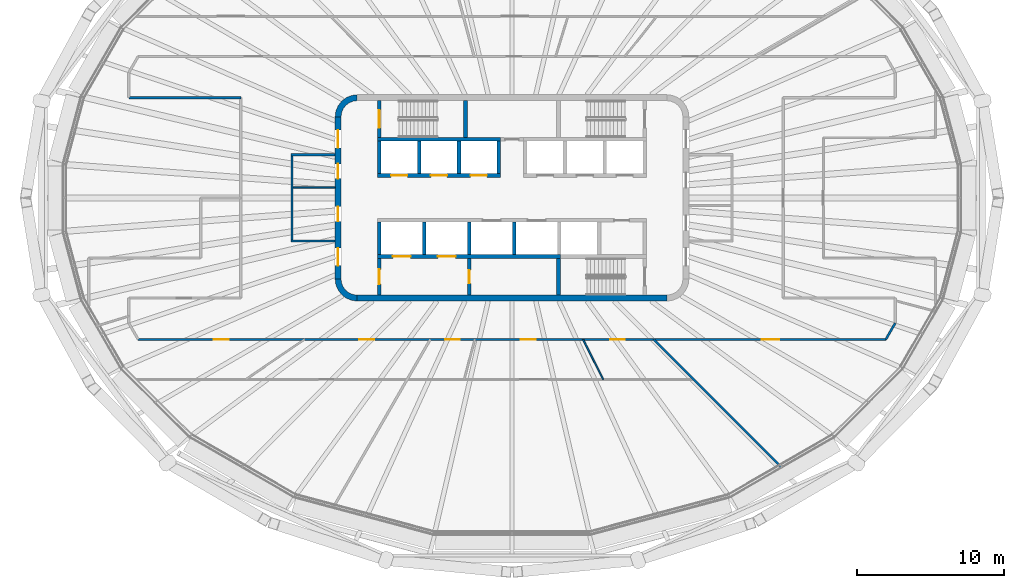
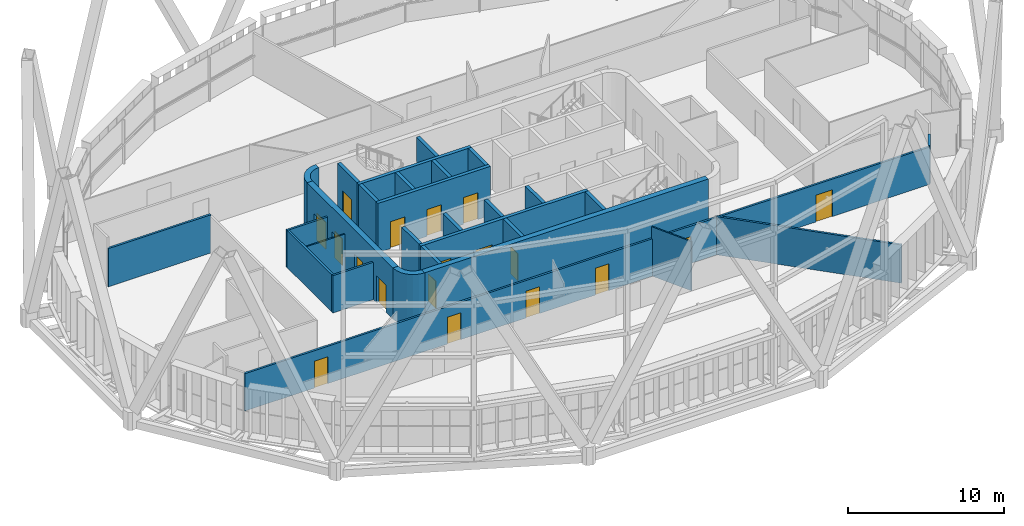
# One storey, part 13 of 22: 29 walls, 18 doors, 18 openings.
"""IFC4 building model written with IfcOpenShell, lengths in metres."""

from ifc_helpers import new_model, si_unit, direction, frame, frame_2d, origin, place, context, subcontext, project, spatial, polyline, rectangle, outline, extrude, material, layer, layer_set, type_object, element, fill, save


model = new_model("IFC4")

# Units and contexts
model_context = context("Model", 3, precision=1e-05, world=origin(), true_north=direction((0.0, 1.0)))
body_context = subcontext(model_context, "Body", "Model", "MODEL_VIEW")
ifc_project = project(units=[si_unit("LENGTHUNIT", "METRE"), si_unit("AREAUNIT", "SQUARE_METRE"), si_unit("VOLUMEUNIT", "CUBIC_METRE"), si_unit("PLANEANGLEUNIT", "RADIAN"), si_unit("MASSUNIT", "GRAM", prefix="KILO")], contexts=[model_context])

# Site, building, storey
site_placement = place(None, origin())
site = spatial("IfcSite", under=ifc_project, at=site_placement, CompositionType="ELEMENT")
building_placement = place(site_placement, origin())
building = spatial("IfcBuilding", under=site, at=building_placement, Name="Sahrelin Media Tower", CompositionType="ELEMENT")
storey_placement = place(building_placement, frame((0.0, 0.0, 233.60009765625)))
storey = spatial("IfcBuildingStorey", under=building, at=storey_placement, Name="L50", CompositionType="ELEMENT", Elevation=233.60009765625)

# Wall
ifc_material_1 = material(Name="Concrete C60/75", Category="concrete")
ifc_layer_1 = layer(ifc_material_1, 0.39990234375)
ifc_layer_set_1 = layer_set([ifc_layer_1], Name="Core wall 400")
wall_type_1 = type_object("IfcWallType", Name="Core wall 400", PredefinedType="SHEAR", material=ifc_layer_set_1)
wall_1_placement = place(storey_placement, frame((-10.5, -6.800048828125, 0.0), z_axis=(0.0, 0.0, 1.0), x_axis=(1.0, 0.0, 0.0)))
element("IfcWall", 1, at=wall_1_placement, inside=storey, type_object=wall_type_1, Name="Core wall S L50", PredefinedType="SHEAR", context=body_context, shape_type="SweptSolid", body=[
    extrude(rectangle(XDim=21.0, YDim=0.39990234375, at=frame_2d((10.5, 0.0))), origin(), (0.0, 0.0, 1.0), 4.0),
])

# Wall, openings, doors
wall_2_placement = place(storey_placement, frame((-11.800048828125, -5.5, 0.0), z_axis=(0.0, 0.0, 1.0), x_axis=(0.0, 1.0, 0.0)))
wall_2 = element("IfcWall", 2, at=wall_2_placement, inside=storey, type_object=wall_type_1, Name="Core wall W L50", PredefinedType="SHEAR", context=body_context, shape_type="SweptSolid", body=[
    extrude(rectangle(XDim=11.0, YDim=0.39990234375, at=frame_2d((5.5, 0.0))), origin(), (0.0, 0.0, 1.0), 4.0),
])
opening_1_placement = place(wall_2_placement, frame((3.89990234375, 0.0, 0.0)))
opening_1 = element("IfcOpeningElement", 3, at=opening_1_placement, cuts=wall_2, Name="Opening L50-D08", PredefinedType="OPENING", context=body_context, shape_type="SweptSolid", body=[
    extrude(rectangle(XDim=1.0, YDim=2.10009765625, at=frame_2d((0.5, 1.050048828125))), frame((0.0, 0.199951171875, 0.0), z_axis=(0.0, -1.0, 0.0), x_axis=(1.0, 0.0, 0.0)), (0.0, 0.0, 1.0), 0.39990234375),
])
opening_2_placement = place(wall_2_placement, frame((6.800048828125, 0.0, 0.0)))
opening_2 = element("IfcOpeningElement", 4, at=opening_2_placement, cuts=wall_2, Name="Opening L50-D09", PredefinedType="OPENING", context=body_context, shape_type="SweptSolid", body=[
    extrude(rectangle(XDim=1.0, YDim=2.10009765625, at=frame_2d((0.5, 1.050048828125))), frame((0.0, 0.199951171875, 0.0), z_axis=(0.0, -1.0, 0.0), x_axis=(1.0, 0.0, 0.0)), (0.0, 0.0, 1.0), 0.39990234375),
])
opening_3_placement = place(wall_2_placement, frame((0.89990234375, 0.0, 0.0)))
opening_3 = element("IfcOpeningElement", 5, at=opening_3_placement, cuts=wall_2, Name="Opening L50-D12", PredefinedType="OPENING", context=body_context, shape_type="SweptSolid", body=[
    extrude(rectangle(XDim=1.199951171875, YDim=2.10009765625, at=frame_2d((0.60009765625, 1.050048828125))), frame((0.0, 0.199951171875, 0.0), z_axis=(0.0, -1.0, 0.0), x_axis=(1.0, 0.0, 0.0)), (0.0, 0.0, 1.0), 0.39990234375),
])
opening_4_placement = place(wall_2_placement, frame((8.89990234375, 0.0, 0.0)))
opening_4 = element("IfcOpeningElement", 6, at=opening_4_placement, cuts=wall_2, Name="Opening L50-D13", PredefinedType="OPENING", context=body_context, shape_type="SweptSolid", body=[
    extrude(rectangle(XDim=1.199951171875, YDim=2.10009765625, at=frame_2d((0.60009765625, 1.050048828125))), frame((0.0, 0.199951171875, 0.0), z_axis=(0.0, -1.0, 0.0), x_axis=(1.0, 0.0, 0.0)), (0.0, 0.0, 1.0), 0.39990234375),
])
ifc_material_2 = material(Name="Steel fire door leaf", Category="steel")
door_type_1 = type_object("IfcDoorType", Name="Fire door 1000 x 2100 EI 60", OperationType="NOTDEFINED", PredefinedType="DOOR", material=ifc_material_2)
door_1_placement = place(opening_1_placement, origin())
door_1 = element("IfcDoor", 7, at=door_1_placement, inside=storey, type_object=door_type_1, Name="Core room door", OperationType="SINGLE_SWING_RIGHT", OverallHeight=2.10009765625, OverallWidth=1.0, PredefinedType="DOOR", context=body_context, shape_type="SweptSolid", body=[
    extrude(rectangle(XDim=1.0, YDim=2.10009765625, at=frame_2d((0.5, 1.050048828125))), frame((0.0, 0.02490234375, 0.0), z_axis=(0.0, -1.0, 0.0), x_axis=(1.0, 0.0, 0.0)), (0.0, 0.0, 1.0), 0.050048828125),
])
fill(opening_1, door_1)
door_2_placement = place(opening_2_placement, origin())
door_2 = element("IfcDoor", 8, at=door_2_placement, inside=storey, type_object=door_type_1, Name="Core room door", OperationType="SINGLE_SWING_RIGHT", OverallHeight=2.10009765625, OverallWidth=1.0, PredefinedType="DOOR", context=body_context, shape_type="SweptSolid", body=[
    extrude(rectangle(XDim=1.0, YDim=2.10009765625, at=frame_2d((0.5, 1.050048828125))), frame((0.0, 0.02490234375, 0.0), z_axis=(0.0, -1.0, 0.0), x_axis=(1.0, 0.0, 0.0)), (0.0, 0.0, 1.0), 0.050048828125),
])
fill(opening_2, door_2)
door_type_2 = type_object("IfcDoorType", Name="Lobby door 1200 x 2100 EI 60", OperationType="NOTDEFINED", PredefinedType="DOOR", material=ifc_material_2)
door_3_placement = place(opening_3_placement, origin())
door_3 = element("IfcDoor", 9, at=door_3_placement, inside=storey, type_object=door_type_2, Name="Lobby door", OperationType="SINGLE_SWING_LEFT", OverallHeight=2.10009765625, OverallWidth=1.199951171875, PredefinedType="DOOR", context=body_context, shape_type="SweptSolid", body=[
    extrude(rectangle(XDim=1.199951171875, YDim=2.10009765625, at=frame_2d((0.60009765625, 1.050048828125))), frame((0.0, 0.02490234375, 0.0), z_axis=(0.0, -1.0, 0.0), x_axis=(1.0, 0.0, 0.0)), (0.0, 0.0, 1.0), 0.050048828125),
])
fill(opening_3, door_3)
door_4_placement = place(opening_4_placement, origin())
door_4 = element("IfcDoor", 10, at=door_4_placement, inside=storey, type_object=door_type_2, Name="Lobby door", OperationType="SINGLE_SWING_LEFT", OverallHeight=2.10009765625, OverallWidth=1.199951171875, PredefinedType="DOOR", context=body_context, shape_type="SweptSolid", body=[
    extrude(rectangle(XDim=1.199951171875, YDim=2.10009765625, at=frame_2d((0.60009765625, 1.050048828125))), frame((0.0, 0.02490234375, 0.0), z_axis=(0.0, -1.0, 0.0), x_axis=(1.0, 0.0, 0.0)), (0.0, 0.0, 1.0), 0.050048828125),
])
fill(opening_4, door_4)

# Walls
placement = place(storey_placement, origin())
element("IfcWall", 11, at=placement, inside=storey, type_object=wall_type_1, Name="Core wall corner NW L50", PredefinedType="SHEAR", context=body_context, shape_type="SweptSolid", body=[
    extrude(outline(polyline([(-12.0, 5.5), (-11.596435546875, 5.5), (-11.55908203125, 5.78369140625), (-11.44970703125, 6.04833984375), (-11.275390625, 6.275390625), (-11.04833984375, 6.44970703125), (-10.78369140625, 6.55908203125), (-10.5, 6.596435546875), (-10.5, 7.0), (-10.88818359375, 6.948974609375), (-11.25, 6.799072265625), (-11.560791015625, 6.560791015625), (-11.799072265625, 6.25), (-11.948974609375, 5.88818359375), (-12.0, 5.5)])), origin(), (0.0, 0.0, 1.0), 4.0),
])
element("IfcWall", 12, at=placement, inside=storey, type_object=wall_type_1, Name="Core wall corner SW L50", PredefinedType="SHEAR", context=body_context, shape_type="SweptSolid", body=[
    extrude(outline(polyline([(-10.5, -7.0), (-10.5, -6.596435546875), (-10.78369140625, -6.55908203125), (-11.04833984375, -6.44970703125), (-11.275390625, -6.275390625), (-11.44970703125, -6.04833984375), (-11.55908203125, -5.78369140625), (-11.596435546875, -5.5), (-12.0, -5.5), (-11.948974609375, -5.88818359375), (-11.799072265625, -6.25), (-11.560791015625, -6.560791015625), (-11.25, -6.799072265625), (-10.88818359375, -6.948974609375), (-10.5, -7.0)])), origin(), (0.0, 0.0, 1.0), 4.0),
])
ifc_material_3 = material(Name="Fire-rated gypsum board partition")
ifc_layer_2 = layer(ifc_material_3, 0.10009765625)
ifc_layer_set_2 = layer_set([ifc_layer_2], Name="Fire-rated partition 100")
wall_type_2 = type_object("IfcWallType", Name="Fire-rated partition 100", PredefinedType="PARTITIONING", material=ifc_layer_set_2)
wall_5_placement = place(storey_placement, frame((-14.85009765625, 0.699951171875, 0.0), z_axis=(0.0, 0.0, 1.0), x_axis=(1.0, 0.0, 0.0)))
element("IfcWall", 13, at=wall_5_placement, inside=storey, type_object=wall_type_2, Name="Core room partition", PredefinedType="PARTITIONING", context=body_context, shape_type="SweptSolid", body=[
    extrude(rectangle(XDim=2.85009765625, YDim=0.10009765625, at=frame_2d((1.425048828125, 0.0))), origin(), (0.0, 0.0, 1.0), 2.918212890625),
])
ifc_layer_3 = layer(ifc_material_3, 0.14990234375)
ifc_layer_set_3 = layer_set([ifc_layer_3], Name="Fire-rated partition 150")
wall_type_3 = type_object("IfcWallType", Name="Fire-rated partition 150", PredefinedType="PARTITIONING", material=ifc_layer_set_3)
wall_6_placement = place(storey_placement, frame((-14.925048828125, -2.85009765625, 0.0), z_axis=(0.0, 0.0, 1.0), x_axis=(0.0, 1.0, 0.0)))
element("IfcWall", 14, at=wall_6_placement, inside=storey, type_object=wall_type_3, Name="Core room fire partition", PredefinedType="PARTITIONING", context=body_context, shape_type="SweptSolid", body=[
    extrude(rectangle(XDim=5.7001953125, YDim=0.14990234375, at=frame_2d((2.85009765625, 0.0))), origin(), (0.0, 0.0, 1.0), 2.918212890625),
])
for number, where, z_axis, x_axis, name in (
    (15, (-15.0, 2.925048828125, 0.0), (0.0, 0.0, 1.0), (1.0, 0.0, 0.0), "Core room fire partition"),
    (16, (-15.0, -2.925048828125, 0.0), (0.0, 0.0, 1.0), (1.0, 0.0, 0.0), "Core room fire partition"),
):
    element("IfcWall", number, at=place(storey_placement, frame(where, z_axis=z_axis, x_axis=x_axis)), inside=storey, type_object=wall_type_3, Name=name, PredefinedType="PARTITIONING", context=body_context, shape_type="SweptSolid", body=[
        extrude(rectangle(XDim=3.0, YDim=0.14990234375, at=frame_2d((1.5, 0.0))), origin(), (0.0, 0.0, 1.0), 2.918212890625),
    ])
wall_7_placement = place(storey_placement, frame((9.60009765625, -9.60009765625, 0.0), z_axis=(0.0, 0.0, 1.0), x_axis=(0.707106781187, -0.707106781187, 0.0)))
element("IfcWall", 17, at=wall_7_placement, inside=storey, type_object=wall_type_3, Name="Wall", PredefinedType="PARTITIONING", context=body_context, shape_type="SweptSolid", body=[
    extrude(rectangle(XDim=12.29345703125, YDim=0.14990234375, at=frame_2d((6.146728515625, 0.0))), origin(), (0.0, 0.0, 1.0), 2.994873046875),
])

# Wall, openings, doors
wall_8_placement = place(storey_placement, frame((-25.360107421875, -9.60009765625, 0.0), z_axis=(0.0, 0.0, 1.0), x_axis=(1.0, 0.0, 0.0)))
wall_8 = element("IfcWall", 18, at=wall_8_placement, inside=storey, type_object=wall_type_3, Name="Wall", PredefinedType="PARTITIONING", context=body_context, shape_type="SweptSolid", body=[
    extrude(rectangle(XDim=50.72119140625, YDim=0.14990234375, at=frame_2d((25.360595703125, 0.0))), origin(), (0.0, 0.0, 1.0), 2.927001953125),
])
opening_5_placement = place(wall_8_placement, frame((20.825927734375, 0.0, 0.0)))
opening_5 = element("IfcOpeningElement", 19, at=opening_5_placement, cuts=wall_8, Name="Opening L50-D16", PredefinedType="OPENING", context=body_context, shape_type="SweptSolid", body=[
    extrude(rectangle(XDim=1.0, YDim=2.10009765625, at=frame_2d((0.5, 1.050048828125))), frame((0.0, 0.074951171875, 0.0), z_axis=(0.0, -1.0, 0.0), x_axis=(1.0, 0.0, 0.0)), (0.0, 0.0, 1.0), 0.14990234375),
])
opening_6_placement = place(wall_8_placement, frame((25.958984375, 0.0, 0.0)))
opening_6 = element("IfcOpeningElement", 20, at=opening_6_placement, cuts=wall_8, Name="Opening L50-D17", PredefinedType="OPENING", context=body_context, shape_type="SweptSolid", body=[
    extrude(rectangle(XDim=1.0, YDim=2.10009765625, at=frame_2d((0.5, 1.050048828125))), frame((0.0, 0.074951171875, 0.0), z_axis=(0.0, -1.0, 0.0), x_axis=(1.0, 0.0, 0.0)), (0.0, 0.0, 1.0), 0.14990234375),
])
opening_7_placement = place(wall_8_placement, frame((32.0205078125, 0.0, 0.0)))
opening_7 = element("IfcOpeningElement", 21, at=opening_7_placement, cuts=wall_8, Name="Opening L50-D18", PredefinedType="OPENING", context=body_context, shape_type="SweptSolid", body=[
    extrude(rectangle(XDim=1.0, YDim=2.10009765625, at=frame_2d((0.5, 1.050048828125))), frame((0.0, 0.074951171875, 0.0), z_axis=(0.0, -1.0, 0.0), x_axis=(1.0, 0.0, 0.0)), (0.0, 0.0, 1.0), 0.14990234375),
])
opening_8_placement = place(wall_8_placement, frame((42.290771484375, 0.0, 0.0)))
opening_8 = element("IfcOpeningElement", 22, at=opening_8_placement, cuts=wall_8, Name="Opening L50-D20", PredefinedType="OPENING", context=body_context, shape_type="SweptSolid", body=[
    extrude(rectangle(XDim=1.199951171875, YDim=2.10009765625, at=frame_2d((0.60009765625, 1.050048828125))), frame((0.0, 0.074951171875, 0.0), z_axis=(0.0, -1.0, 0.0), x_axis=(1.0, 0.0, 0.0)), (0.0, 0.0, 1.0), 0.14990234375),
])
opening_9_placement = place(wall_8_placement, frame((5.139404296875, 0.0, 0.0)))
opening_9 = element("IfcOpeningElement", 23, at=opening_9_placement, cuts=wall_8, Name="Opening L50-D31", PredefinedType="OPENING", context=body_context, shape_type="SweptSolid", body=[
    extrude(rectangle(XDim=1.0, YDim=2.10009765625, at=frame_2d((0.5, 1.050048828125))), frame((0.0, 0.074951171875, 0.0), z_axis=(0.0, -1.0, 0.0), x_axis=(1.0, 0.0, 0.0)), (0.0, 0.0, 1.0), 0.14990234375),
])
opening_10_placement = place(wall_8_placement, frame((14.997802734375, 0.0, 0.0)))
opening_10 = element("IfcOpeningElement", 24, at=opening_10_placement, cuts=wall_8, Name="Opening L50-D32", PredefinedType="OPENING", context=body_context, shape_type="SweptSolid", body=[
    extrude(rectangle(XDim=1.0, YDim=2.10009765625, at=frame_2d((0.5, 1.050048828125))), frame((0.0, 0.074951171875, 0.0), z_axis=(0.0, -1.0, 0.0), x_axis=(1.0, 0.0, 0.0)), (0.0, 0.0, 1.0), 0.14990234375),
])
door_5_placement = place(opening_5_placement, origin())
door_5 = element("IfcDoor", 25, at=door_5_placement, inside=storey, type_object=door_type_1, Name="Fire door", OperationType="SINGLE_SWING_LEFT", OverallHeight=2.10009765625, OverallWidth=1.0, PredefinedType="DOOR", context=body_context, shape_type="SweptSolid", body=[
    extrude(rectangle(XDim=1.0, YDim=2.10009765625, at=frame_2d((0.5, 1.050048828125))), frame((0.0, 0.02490234375, 0.0), z_axis=(0.0, -1.0, 0.0), x_axis=(1.0, 0.0, 0.0)), (0.0, 0.0, 1.0), 0.050048828125),
])
fill(opening_5, door_5)
door_6_placement = place(opening_6_placement, origin())
door_6 = element("IfcDoor", 26, at=door_6_placement, inside=storey, type_object=door_type_1, Name="Fire door", OperationType="SINGLE_SWING_RIGHT", OverallHeight=2.10009765625, OverallWidth=1.0, PredefinedType="DOOR", context=body_context, shape_type="SweptSolid", body=[
    extrude(rectangle(XDim=1.0, YDim=2.10009765625, at=frame_2d((0.5, 1.050048828125))), frame((0.0, 0.02490234375, 0.0), z_axis=(0.0, -1.0, 0.0), x_axis=(1.0, 0.0, 0.0)), (0.0, 0.0, 1.0), 0.050048828125),
])
fill(opening_6, door_6)
door_7_placement = place(opening_7_placement, origin())
door_7 = element("IfcDoor", 27, at=door_7_placement, inside=storey, type_object=door_type_1, Name="Fire door", OperationType="SINGLE_SWING_RIGHT", OverallHeight=2.10009765625, OverallWidth=1.0, PredefinedType="DOOR", context=body_context, shape_type="SweptSolid", body=[
    extrude(rectangle(XDim=1.0, YDim=2.10009765625, at=frame_2d((0.5, 1.050048828125))), frame((0.0, 0.02490234375, 0.0), z_axis=(0.0, -1.0, 0.0), x_axis=(1.0, 0.0, 0.0)), (0.0, 0.0, 1.0), 0.050048828125),
])
fill(opening_7, door_7)
door_8_placement = place(opening_9_placement, origin())
door_8 = element("IfcDoor", 28, at=door_8_placement, inside=storey, type_object=door_type_1, Name="Fire door", OperationType="SINGLE_SWING_RIGHT", OverallHeight=2.10009765625, OverallWidth=1.0, PredefinedType="DOOR", context=body_context, shape_type="SweptSolid", body=[
    extrude(rectangle(XDim=1.0, YDim=2.10009765625, at=frame_2d((0.5, 1.050048828125))), frame((0.0, 0.02490234375, 0.0), z_axis=(0.0, -1.0, 0.0), x_axis=(1.0, 0.0, 0.0)), (0.0, 0.0, 1.0), 0.050048828125),
])
fill(opening_9, door_8)
door_9_placement = place(opening_10_placement, origin())
door_9 = element("IfcDoor", 29, at=door_9_placement, inside=storey, type_object=door_type_1, Name="Fire door", OperationType="SINGLE_SWING_RIGHT", OverallHeight=2.10009765625, OverallWidth=1.0, PredefinedType="DOOR", context=body_context, shape_type="SweptSolid", body=[
    extrude(rectangle(XDim=1.0, YDim=2.10009765625, at=frame_2d((0.5, 1.050048828125))), frame((0.0, 0.02490234375, 0.0), z_axis=(0.0, -1.0, 0.0), x_axis=(1.0, 0.0, 0.0)), (0.0, 0.0, 1.0), 0.050048828125),
])
fill(opening_10, door_9)
door_type_3 = type_object("IfcDoorType", Name="Service double door 1200 x 2100 EI 60", OperationType="DOUBLE_DOOR_SINGLE_SWING", PredefinedType="DOOR", material=ifc_material_2)
door_10_placement = place(opening_8_placement, origin())
door_10 = element("IfcDoor", 30, at=door_10_placement, inside=storey, type_object=door_type_3, Name="Service double door", OperationType="DOUBLE_DOOR_SINGLE_SWING", OverallHeight=2.10009765625, OverallWidth=1.199951171875, PredefinedType="DOOR", context=body_context, shape_type="SweptSolid", body=[
    extrude(rectangle(XDim=1.199951171875, YDim=2.10009765625, at=frame_2d((0.60009765625, 1.050048828125))), frame((0.0, 0.02490234375, 0.0), z_axis=(0.0, -1.0, 0.0), x_axis=(1.0, 0.0, 0.0)), (0.0, 0.0, 1.0), 0.050048828125),
])
fill(opening_8, door_10)

# Walls
wall_9_placement = place(storey_placement, frame((-26.0, 6.800048828125, 0.0), z_axis=(0.0, 0.0, 1.0), x_axis=(1.0, 0.0, 0.0)))
element("IfcWall", 31, at=wall_9_placement, inside=storey, type_object=wall_type_3, Name="Wall", PredefinedType="PARTITIONING", context=body_context, shape_type="SweptSolid", body=[
    extrude(rectangle(XDim=7.60009765625, YDim=0.14990234375, at=frame_2d((3.800048828125, 0.0))), origin(), (0.0, 0.0, 1.0), 2.994873046875),
])
wall_10_placement = place(storey_placement, frame((25.361083984375, -9.60009765625, 0.0), z_axis=(0.0, 0.0, 1.0), x_axis=(0.499816142895, 0.866131527715, 0.0)))
element("IfcWall", 32, at=wall_10_placement, inside=storey, type_object=wall_type_3, Name="Wall", PredefinedType="PARTITIONING", context=body_context, shape_type="SweptSolid", body=[
    extrude(rectangle(XDim=1.2783203125, YDim=0.14990234375, at=frame_2d((0.63916015625, 0.0))), origin(), (0.0, 0.0, 1.0), 2.994873046875),
])

# Wall, opening, door
ifc_layer_4 = layer(ifc_material_3, 0.25)
ifc_layer_set_4 = layer_set([ifc_layer_4], Name="Firefighting lobby wall 250")
wall_type_4 = type_object("IfcWallType", Name="Firefighting lobby wall 250", PredefinedType="PARTITIONING", material=ifc_layer_set_4)
wall_11_placement = place(storey_placement, frame((-9.0, -6.60009765625, 0.0), z_axis=(0.0, 0.0, 1.0), x_axis=(0.0, 1.0, 0.0)))
wall_11 = element("IfcWall", 33, at=wall_11_placement, inside=storey, type_object=wall_type_4, Name="Core wall", PredefinedType="PARTITIONING", context=body_context, shape_type="SweptSolid", body=[
    extrude(rectangle(XDim=2.5, YDim=0.25, at=frame_2d((1.25, 0.0))), origin(), (0.0, 0.0, 1.0), 3.849853515625),
])
opening_11_placement = place(wall_11_placement, frame((0.75, 0.0, 0.0)))
opening_11 = element("IfcOpeningElement", 34, at=opening_11_placement, cuts=wall_11, Name="Opening L50-D04", PredefinedType="OPENING", context=body_context, shape_type="SweptSolid", body=[
    extrude(rectangle(XDim=1.0, YDim=2.10009765625, at=frame_2d((0.5, 1.050048828125))), frame((0.0, 0.125, 0.0), z_axis=(0.0, -1.0, 0.0), x_axis=(1.0, 0.0, 0.0)), (0.0, 0.0, 1.0), 0.25),
])
door_type_4 = type_object("IfcDoorType", Name="Firefighting lobby door 1000 x 2100 EI 120", OperationType="NOTDEFINED", PredefinedType="DOOR", material=ifc_material_2)
door_11_placement = place(opening_11_placement, origin())
door_11 = element("IfcDoor", 35, at=door_11_placement, inside=storey, type_object=door_type_4, Name="Firefighting lobby door", OperationType="SINGLE_SWING_LEFT", OverallHeight=2.10009765625, OverallWidth=1.0, PredefinedType="DOOR", context=body_context, shape_type="SweptSolid", body=[
    extrude(rectangle(XDim=1.0, YDim=2.10009765625, at=frame_2d((0.5, 1.050048828125))), frame((0.0, 0.02490234375, 0.0), z_axis=(0.0, -1.0, 0.0), x_axis=(1.0, 0.0, 0.0)), (0.0, 0.0, 1.0), 0.050048828125),
])
fill(opening_11, door_11)

wall_12_placement = place(storey_placement, frame((-2.89990234375, -6.60009765625, 0.0), z_axis=(0.0, 0.0, 1.0), x_axis=(0.0, 1.0, 0.0)))
wall_12 = element("IfcWall", 36, at=wall_12_placement, inside=storey, type_object=wall_type_4, Name="Core wall", PredefinedType="PARTITIONING", context=body_context, shape_type="SweptSolid", body=[
    extrude(rectangle(XDim=2.5, YDim=0.25, at=frame_2d((1.25, 0.0))), origin(), (0.0, 0.0, 1.0), 3.849853515625),
])
opening_12_placement = place(wall_12_placement, frame((0.800048828125, 0.0, 0.0)))
opening_12 = element("IfcOpeningElement", 37, at=opening_12_placement, cuts=wall_12, Name="Opening L50-D05", PredefinedType="OPENING", context=body_context, shape_type="SweptSolid", body=[
    extrude(rectangle(XDim=0.89990234375, YDim=2.10009765625, at=frame_2d((0.449951171875, 1.050048828125))), frame((0.0, 0.125, 0.0), z_axis=(0.0, -1.0, 0.0), x_axis=(1.0, 0.0, 0.0)), (0.0, 0.0, 1.0), 0.25),
])
door_type_5 = type_object("IfcDoorType", Name="Firefighting lobby door 900 x 2100 EI 120", OperationType="NOTDEFINED", PredefinedType="DOOR", material=ifc_material_2)
door_12_placement = place(opening_12_placement, origin())
door_12 = element("IfcDoor", 38, at=door_12_placement, inside=storey, type_object=door_type_5, Name="Riser door", OperationType="SINGLE_SWING_RIGHT", OverallHeight=2.10009765625, OverallWidth=0.89990234375, PredefinedType="DOOR", context=body_context, shape_type="SweptSolid", body=[
    extrude(rectangle(XDim=0.89990234375, YDim=2.10009765625, at=frame_2d((0.449951171875, 1.050048828125))), frame((0.0, 0.02490234375, 0.0), z_axis=(0.0, -1.0, 0.0), x_axis=(1.0, 0.0, 0.0)), (0.0, 0.0, 1.0), 0.050048828125),
])
fill(opening_12, door_12)

# Wall, openings, doors
ifc_layer_5 = layer(ifc_material_1, 0.25)
ifc_layer_set_5 = layer_set([ifc_layer_5], Name="Lift shaft wall 250")
wall_type_5 = type_object("IfcWallType", Name="Lift shaft wall 250", PredefinedType="SOLIDWALL", material=ifc_layer_set_5)
wall_13_placement = place(storey_placement, frame((-9.125, 1.52490234375, 0.0), z_axis=(0.0, 0.0, 1.0), x_axis=(1.0, 0.0, 0.0)))
wall_13 = element("IfcWall", 39, at=wall_13_placement, inside=storey, type_object=wall_type_5, Name="Lift shaft wall", PredefinedType="SOLIDWALL", context=body_context, shape_type="SweptSolid", body=[
    extrude(rectangle(XDim=8.35009765625, YDim=0.25, at=frame_2d((4.175048828125, 0.0))), origin(), (0.0, 0.0, 1.0), 3.849853515625),
])
opening_13_placement = place(wall_13_placement, frame((0.925048828125, 0.0, 0.0)))
opening_13 = element("IfcOpeningElement", 40, at=opening_13_placement, cuts=wall_13, Name="Opening L50-LD-HR1", PredefinedType="OPENING", context=body_context, shape_type="SweptSolid", body=[
    extrude(rectangle(XDim=1.10009765625, YDim=2.10009765625, at=frame_2d((0.550048828125, 1.050048828125))), frame((0.0, 0.125, 0.0), z_axis=(0.0, -1.0, 0.0), x_axis=(1.0, 0.0, 0.0)), (0.0, 0.0, 1.0), 0.25),
])
opening_14_placement = place(wall_13_placement, frame((3.625, 0.0, 0.0)))
opening_14 = element("IfcOpeningElement", 41, at=opening_14_placement, cuts=wall_13, Name="Opening L50-LD-HR2", PredefinedType="OPENING", context=body_context, shape_type="SweptSolid", body=[
    extrude(rectangle(XDim=1.10009765625, YDim=2.10009765625, at=frame_2d((0.550048828125, 1.050048828125))), frame((0.0, 0.125, 0.0), z_axis=(0.0, -1.0, 0.0), x_axis=(1.0, 0.0, 0.0)), (0.0, 0.0, 1.0), 0.25),
])
opening_15_placement = place(wall_13_placement, frame((6.324951171875, 0.0, 0.0)))
opening_15 = element("IfcOpeningElement", 42, at=opening_15_placement, cuts=wall_13, Name="Opening L50-LD-HR3", PredefinedType="OPENING", context=body_context, shape_type="SweptSolid", body=[
    extrude(rectangle(XDim=1.10009765625, YDim=2.10009765625, at=frame_2d((0.550048828125, 1.050048828125))), frame((0.0, 0.125, 0.0), z_axis=(0.0, -1.0, 0.0), x_axis=(1.0, 0.0, 0.0)), (0.0, 0.0, 1.0), 0.25),
])
ifc_material_4 = material(Name="Stainless steel", Category="steel")
door_type_6 = type_object("IfcDoorType", Name="Lift landing door 1100 x 2100 EI 120", OperationType="DOUBLE_DOOR_SLIDING", PredefinedType="DOOR", material=ifc_material_4)
door_13_placement = place(opening_13_placement, origin())
door_13 = element("IfcDoor", 43, at=door_13_placement, inside=storey, type_object=door_type_6, Name="Lift landing door HR1", OperationType="DOUBLE_DOOR_SLIDING", OverallHeight=2.10009765625, OverallWidth=1.10009765625, PredefinedType="DOOR", context=body_context, shape_type="SweptSolid", body=[
    extrude(rectangle(XDim=1.10009765625, YDim=2.10009765625, at=frame_2d((0.550048828125, 1.050048828125))), frame((0.0, 0.02490234375, 0.0), z_axis=(0.0, -1.0, 0.0), x_axis=(1.0, 0.0, 0.0)), (0.0, 0.0, 1.0), 0.050048828125),
])
fill(opening_13, door_13)
door_14_placement = place(opening_14_placement, origin())
door_14 = element("IfcDoor", 44, at=door_14_placement, inside=storey, type_object=door_type_6, Name="Lift landing door HR2", OperationType="DOUBLE_DOOR_SLIDING", OverallHeight=2.10009765625, OverallWidth=1.10009765625, PredefinedType="DOOR", context=body_context, shape_type="SweptSolid", body=[
    extrude(rectangle(XDim=1.10009765625, YDim=2.10009765625, at=frame_2d((0.550048828125, 1.050048828125))), frame((0.0, 0.02490234375, 0.0), z_axis=(0.0, -1.0, 0.0), x_axis=(1.0, 0.0, 0.0)), (0.0, 0.0, 1.0), 0.050048828125),
])
fill(opening_14, door_14)
door_15_placement = place(opening_15_placement, origin())
door_15 = element("IfcDoor", 45, at=door_15_placement, inside=storey, type_object=door_type_6, Name="Lift landing door HR3", OperationType="DOUBLE_DOOR_SLIDING", OverallHeight=2.10009765625, OverallWidth=1.10009765625, PredefinedType="DOOR", context=body_context, shape_type="SweptSolid", body=[
    extrude(rectangle(XDim=1.10009765625, YDim=2.10009765625, at=frame_2d((0.550048828125, 1.050048828125))), frame((0.0, 0.02490234375, 0.0), z_axis=(0.0, -1.0, 0.0), x_axis=(1.0, 0.0, 0.0)), (0.0, 0.0, 1.0), 0.050048828125),
])
fill(opening_15, door_15)

# Walls
wall_14_placement = place(storey_placement, frame((-9.125, 3.97509765625, 0.0), z_axis=(0.0, 0.0, 1.0), x_axis=(1.0, 0.0, 0.0)))
element("IfcWall", 46, at=wall_14_placement, inside=storey, type_object=wall_type_5, Name="Lift shaft wall", PredefinedType="SOLIDWALL", context=body_context, shape_type="SweptSolid", body=[
    extrude(rectangle(XDim=8.35009765625, YDim=0.25, at=frame_2d((4.175048828125, 0.0))), origin(), (0.0, 0.0, 1.0), 3.849853515625),
])
for number, where, z_axis, x_axis, name in (
    (47, (-9.0, 1.64990234375, 0.0), (0.0, 0.0, 1.0), (0.0, 1.0, 0.0), "Lift shaft wall"),
    (48, (-6.300048828125, 1.64990234375, 0.0), (0.0, 0.0, 1.0), (0.0, 1.0, 0.0), "Lift shaft wall"),
    (49, (-3.60009765625, 1.64990234375, 0.0), (0.0, 0.0, 1.0), (0.0, 1.0, 0.0), "Lift shaft wall"),
    (50, (-0.89990234375, 1.64990234375, 0.0), (0.0, 0.0, 1.0), (0.0, 1.0, 0.0), "Lift shaft wall"),
):
    element("IfcWall", number, at=place(storey_placement, frame(where, z_axis=z_axis, x_axis=x_axis)), inside=storey, type_object=wall_type_5, Name=name, PredefinedType="SOLIDWALL", context=body_context, shape_type="SweptSolid", body=[
        extrude(rectangle(XDim=2.2001953125, YDim=0.25, at=frame_2d((1.10009765625, 0.0))), origin(), (0.0, 0.0, 1.0), 3.849853515625),
    ])

# Wall, openings, doors
wall_15_placement = place(storey_placement, frame((-9.125, -3.97509765625, 0.0), z_axis=(0.0, 0.0, 1.0), x_axis=(1.0, 0.0, 0.0)))
wall_15 = element("IfcWall", 51, at=wall_15_placement, inside=storey, type_object=wall_type_5, Name="Lift shaft wall", PredefinedType="SOLIDWALL", context=body_context, shape_type="SweptSolid", body=[
    extrude(rectangle(XDim=12.39990234375, YDim=0.25, at=frame_2d((6.199951171875, 0.0))), origin(), (0.0, 0.0, 1.0), 3.849853515625),
])
opening_16_placement = place(wall_15_placement, frame((1.050048828125, 0.0, 0.0)))
opening_16 = element("IfcOpeningElement", 52, at=opening_16_placement, cuts=wall_15, Name="Opening L50-LD-FF1", PredefinedType="OPENING", context=body_context, shape_type="SweptSolid", body=[
    extrude(rectangle(XDim=1.199951171875, YDim=2.10009765625, at=frame_2d((0.60009765625, 1.050048828125))), frame((0.0, 0.125, 0.0), z_axis=(0.0, -1.0, 0.0), x_axis=(1.0, 0.0, 0.0)), (0.0, 0.0, 1.0), 0.25),
])
opening_17_placement = place(wall_15_placement, frame((4.10009765625, 0.0, 0.0)))
opening_17 = element("IfcOpeningElement", 53, at=opening_17_placement, cuts=wall_15, Name="Opening L50-LD-FF2", PredefinedType="OPENING", context=body_context, shape_type="SweptSolid", body=[
    extrude(rectangle(XDim=1.199951171875, YDim=2.10009765625, at=frame_2d((0.60009765625, 1.050048828125))), frame((0.0, 0.125, 0.0), z_axis=(0.0, -1.0, 0.0), x_axis=(1.0, 0.0, 0.0)), (0.0, 0.0, 1.0), 0.25),
])
door_type_7 = type_object("IfcDoorType", Name="Lift landing door 1200 x 2100 EI 120", OperationType="DOUBLE_DOOR_SLIDING", PredefinedType="DOOR", material=ifc_material_4)
door_16_placement = place(opening_16_placement, origin())
door_16 = element("IfcDoor", 54, at=door_16_placement, inside=storey, type_object=door_type_7, Name="Lift landing door FF1", OperationType="DOUBLE_DOOR_SLIDING", OverallHeight=2.10009765625, OverallWidth=1.199951171875, PredefinedType="DOOR", context=body_context, shape_type="SweptSolid", body=[
    extrude(rectangle(XDim=1.199951171875, YDim=2.10009765625, at=frame_2d((0.60009765625, 1.050048828125))), frame((0.0, 0.02490234375, 0.0), z_axis=(0.0, -1.0, 0.0), x_axis=(1.0, 0.0, 0.0)), (0.0, 0.0, 1.0), 0.050048828125),
])
fill(opening_16, door_16)
door_17_placement = place(opening_17_placement, origin())
door_17 = element("IfcDoor", 55, at=door_17_placement, inside=storey, type_object=door_type_7, Name="Lift landing door FF2", OperationType="DOUBLE_DOOR_SLIDING", OverallHeight=2.10009765625, OverallWidth=1.199951171875, PredefinedType="DOOR", context=body_context, shape_type="SweptSolid", body=[
    extrude(rectangle(XDim=1.199951171875, YDim=2.10009765625, at=frame_2d((0.60009765625, 1.050048828125))), frame((0.0, 0.02490234375, 0.0), z_axis=(0.0, -1.0, 0.0), x_axis=(1.0, 0.0, 0.0)), (0.0, 0.0, 1.0), 0.050048828125),
])
fill(opening_17, door_17)

# Walls
for number, where, z_axis, x_axis, name in (
    (56, (-9.0, -3.85009765625, 0.0), (0.0, 0.0, 1.0), (0.0, 1.0, 0.0), "Lift shaft wall"),
    (57, (-5.949951171875, -3.85009765625, 0.0), (0.0, 0.0, 1.0), (0.0, 1.0, 0.0), "Lift shaft wall"),
    (58, (-2.89990234375, -3.85009765625, 0.0), (0.0, 0.0, 1.0), (0.0, 1.0, 0.0), "Lift shaft wall"),
    (59, (0.14990234375, -3.85009765625, 0.0), (0.0, 0.0, 1.0), (0.0, 1.0, 0.0), "Lift shaft wall"),
):
    element("IfcWall", number, at=place(storey_placement, frame(where, z_axis=z_axis, x_axis=x_axis)), inside=storey, type_object=wall_type_5, Name=name, PredefinedType="SOLIDWALL", context=body_context, shape_type="SweptSolid", body=[
        extrude(rectangle(XDim=2.2001953125, YDim=0.25, at=frame_2d((1.10009765625, 0.0))), origin(), (0.0, 0.0, 1.0), 3.849853515625),
    ])
ifc_material_5 = material(Name="Gypsum board partition")
ifc_layer_6 = layer(ifc_material_5, 0.10009765625)
ifc_layer_set_6 = layer_set([ifc_layer_6], Name="Partition 100")
wall_type_6 = type_object("IfcWallType", Name="Partition 100", PredefinedType="PARTITIONING", material=ifc_layer_set_6)
wall_16_placement = place(storey_placement, frame((4.823974609375, -9.60009765625, 0.0), z_axis=(0.0, 0.0, 1.0), x_axis=(0.449041226729, -0.893511038934, 0.0)))
element("IfcWall", 60, at=wall_16_placement, inside=storey, type_object=wall_type_6, Name="Wall", PredefinedType="PARTITIONING", context=body_context, shape_type="SweptSolid", body=[
    extrude(rectangle(XDim=3.044189453125, YDim=0.10009765625, at=frame_2d((1.52197265625, 0.0))), origin(), (0.0, 0.0, 1.0), 3.849853515625),
])

# Wall, opening, door
ifc_layer_7 = layer(ifc_material_1, 0.25)
ifc_layer_set_7 = layer_set([ifc_layer_7], Name="Stair enclosure wall 250")
wall_type_7 = type_object("IfcWallType", Name="Stair enclosure wall 250", PredefinedType="SOLIDWALL", material=ifc_layer_set_7)
wall_17_placement = place(storey_placement, frame((-9.0, 4.10009765625, 0.0), z_axis=(0.0, 0.0, 1.0), x_axis=(0.0, 1.0, 0.0)))
wall_17 = element("IfcWall", 61, at=wall_17_placement, inside=storey, type_object=wall_type_7, Name="Stair enclosure wall", PredefinedType="SOLIDWALL", context=body_context, shape_type="SweptSolid", body=[
    extrude(rectangle(XDim=2.5, YDim=0.25, at=frame_2d((1.25, 0.0))), origin(), (0.0, 0.0, 1.0), 3.849853515625),
])
opening_18_placement = place(wall_17_placement, frame((0.64990234375, 0.0, 0.0)))
opening_18 = element("IfcOpeningElement", 62, at=opening_18_placement, cuts=wall_17, Name="Opening L50-D01", PredefinedType="OPENING", context=body_context, shape_type="SweptSolid", body=[
    extrude(rectangle(XDim=1.199951171875, YDim=2.10009765625, at=frame_2d((0.60009765625, 1.050048828125))), frame((0.0, 0.125, 0.0), z_axis=(0.0, -1.0, 0.0), x_axis=(1.0, 0.0, 0.0)), (0.0, 0.0, 1.0), 0.25),
])
door_type_8 = type_object("IfcDoorType", Name="Stair door 1200 x 2100 EI 120", OperationType="NOTDEFINED", PredefinedType="DOOR", material=ifc_material_2)
door_18_placement = place(opening_18_placement, origin())
door_18 = element("IfcDoor", 63, at=door_18_placement, inside=storey, type_object=door_type_8, Name="Stair door ST1", OperationType="SINGLE_SWING_RIGHT", OverallHeight=2.10009765625, OverallWidth=1.199951171875, PredefinedType="DOOR", context=body_context, shape_type="SweptSolid", body=[
    extrude(rectangle(XDim=1.199951171875, YDim=2.10009765625, at=frame_2d((0.60009765625, 1.050048828125))), frame((0.0, 0.02490234375, 0.0), z_axis=(0.0, -1.0, 0.0), x_axis=(1.0, 0.0, 0.0)), (0.0, 0.0, 1.0), 0.050048828125),
])
fill(opening_18, door_18)

# Walls
for number, where, z_axis, x_axis, name in (
    (64, (-3.14990234375, 4.10009765625, 0.0), (0.0, 0.0, 1.0), (0.0, 1.0, 0.0), "Stair enclosure wall"),
    (65, (3.14990234375, -6.60009765625, 0.0), (0.0, 0.0, 1.0), (0.0, 1.0, 0.0), "Stair enclosure wall"),
):
    element("IfcWall", number, at=place(storey_placement, frame(where, z_axis=z_axis, x_axis=x_axis)), inside=storey, type_object=wall_type_7, Name=name, PredefinedType="SOLIDWALL", context=body_context, shape_type="SweptSolid", body=[
        extrude(rectangle(XDim=2.5, YDim=0.25, at=frame_2d((1.25, 0.0))), origin(), (0.0, 0.0, 1.0), 3.849853515625),
    ])

save(model, "model.ifc")
